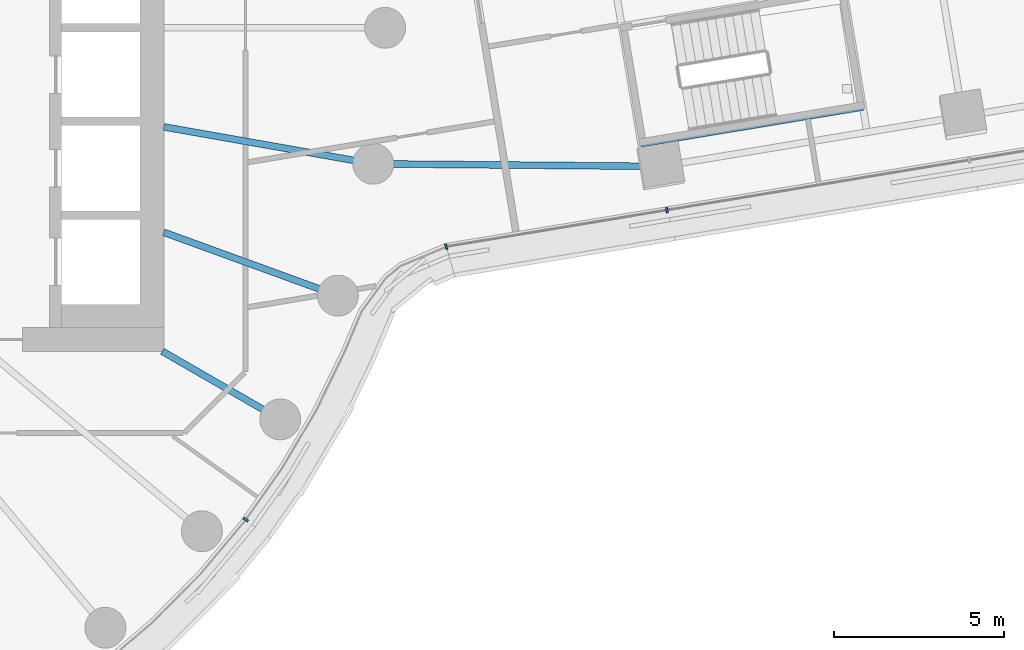
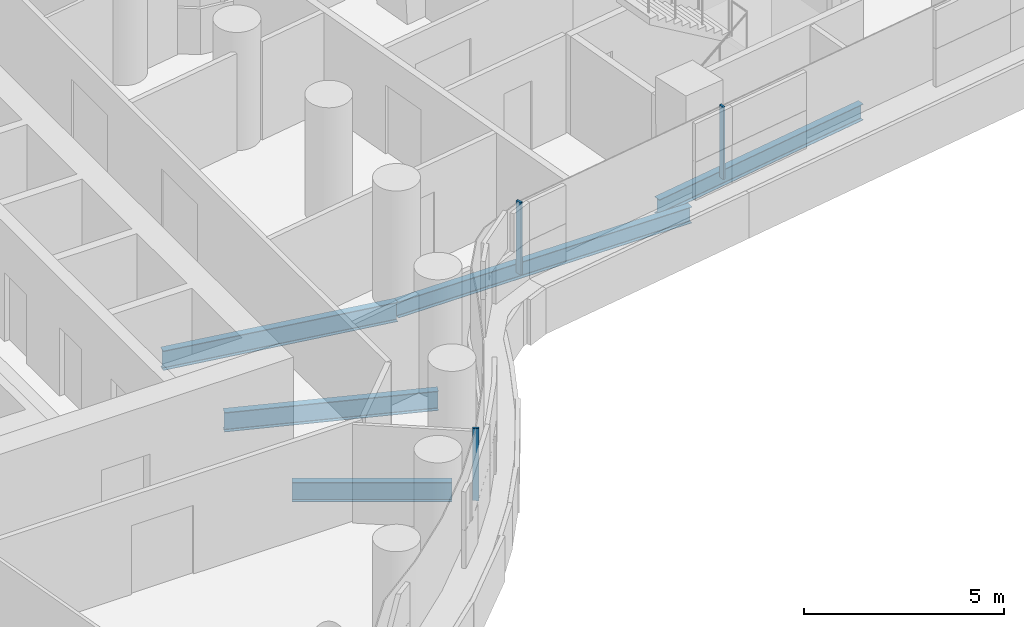
# One storey, part 11 of 32: 5 beams, 3 members, 2 elements without a shape of their own.
"""IFC4 building model written with IfcOpenShell, lengths in metres."""

from ifc_helpers import new_model, si_unit, direction, frame, origin, origin_2d, place, context, subcontext, project, spatial, rectangle, i_section, extrude, material, layer, layer_set, material_profile, profile_set, type_object, element, aggregate, save


model = new_model("IFC4")

# Units and contexts
model_context = context("Model", 3, precision=1e-05, world=origin(), true_north=direction((0.0, 1.0)))
body_context = subcontext(model_context, "Body", "Model", "MODEL_VIEW")
ifc_project = project(units=[si_unit("LENGTHUNIT", "METRE"), si_unit("AREAUNIT", "SQUARE_METRE"), si_unit("VOLUMEUNIT", "CUBIC_METRE"), si_unit("PLANEANGLEUNIT", "RADIAN"), si_unit("MASSUNIT", "GRAM", prefix="KILO")], contexts=[model_context])

# Site, building, storey
site_placement = place(None, origin())
site = spatial("IfcSite", under=ifc_project, at=site_placement, CompositionType="ELEMENT")
building_placement = place(site_placement, origin())
building = spatial("IfcBuilding", under=site, at=building_placement, Name="Tamarind Cross Interchange Tower", CompositionType="ELEMENT")
storey_placement = place(building_placement, frame((0.0, 0.0, 67.75)))
storey = spatial("IfcBuildingStorey", under=building, at=storey_placement, Name="L15", CompositionType="ELEMENT", Elevation=67.75)

# Beams
ifc_material_1 = material(Name="Steel Q355B", Category="steel")
ifc_material_profile_1 = material_profile(ifc_material_1, i_section(OverallWidth=0.198974609375, OverallDepth=0.49609375, WebThickness=0.009033203125, FlangeThickness=0.013916015625, FilletRadius=0.012939453125, at=origin_2d()), Name="HN 496x199x9x14")
ifc_profile_set_1 = profile_set([ifc_material_profile_1], Name="Steel Q355B")
beam_type_1 = type_object("IfcBeamType", Name="Composite beam HN 496x199x9x14 Q355B", PredefinedType="BEAM", material=ifc_profile_set_1)
beam_1_placement = place(storey_placement, frame((31.087158203125, -4.070068359375, -0.387939453125), z_axis=(-0.999959242671, 0.00902845479, 0.0), x_axis=(-0.00902845479, -0.999959242671, 0.0)))
element("IfcBeam", 1, at=beam_1_placement, inside=storey, type_object=beam_type_1, Name="Beam E-linkem", PredefinedType="BEAM", context=body_context, shape_type="SweptSolid", body=[
    extrude(i_section(OverallWidth=0.198974609375, OverallDepth=0.49609375, WebThickness=0.009033203125, FlangeThickness=0.013916015625, FilletRadius=0.012939453125, at=origin_2d()), origin(), (0.0, 0.0, 1.0), 8.436767578125),
])
beam_2_placement = place(storey_placement, frame((30.5205078125, -3.403564453125, -0.387939453125), z_axis=(0.986568319398, 0.163349169452, 0.0), x_axis=(-0.163349169452, 0.986568319398, 0.0)))
element("IfcBeam", 2, at=beam_2_placement, inside=storey, type_object=beam_type_1, Name="Beam E-tr0", PredefinedType="BEAM", context=body_context, shape_type="SweptSolid", body=[
    extrude(i_section(OverallWidth=0.198974609375, OverallDepth=0.49609375, WebThickness=0.009033203125, FlangeThickness=0.013916015625, FilletRadius=0.012939453125, at=origin_2d()), origin(), (0.0, 0.0, 1.0), 6.60009765625),
])
ifc_material_profile_2 = material_profile(ifc_material_1, i_section(OverallWidth=0.198974609375, OverallDepth=0.595947265625, WebThickness=0.010009765625, FlangeThickness=0.014892578125, FilletRadius=0.012939453125, at=origin_2d()), Name="HN 596x199x10x15")
ifc_profile_set_2 = profile_set([ifc_material_profile_2], Name="Steel Q355B")
beam_type_2 = type_object("IfcBeamType", Name="Composite beam HN 596x199x10x15 Q355B", PredefinedType="BEAM", material=ifc_profile_set_2)
beam_3_placement = place(storey_placement, frame((19.918701171875, -11.5, -0.43798828125), z_axis=(-0.866026010844, 0.49999894854, 0.0), x_axis=(-0.49999894854, -0.866026010844, 0.0)))
element("IfcBeam", 3, at=beam_3_placement, inside=storey, type_object=beam_type_2, Name="Beam HH33", PredefinedType="BEAM", context=body_context, shape_type="SweptSolid", body=[
    extrude(i_section(OverallWidth=0.198974609375, OverallDepth=0.595947265625, WebThickness=0.010009765625, FlangeThickness=0.014892578125, FilletRadius=0.012939453125, at=origin_2d()), origin(), (0.0, 0.0, 1.0), 4.0),
])
beam_4_placement = place(storey_placement, frame((21.613037109375, -7.866455078125, -0.43798828125), z_axis=(-0.939701685589, 0.341995236956, 0.0), x_axis=(-0.341995236956, -0.939701685589, 0.0)))
element("IfcBeam", 4, at=beam_4_placement, inside=storey, type_object=beam_type_2, Name="Beam HH34", PredefinedType="BEAM", context=body_context, shape_type="SweptSolid", body=[
    extrude(i_section(OverallWidth=0.198974609375, OverallDepth=0.595947265625, WebThickness=0.010009765625, FlangeThickness=0.014892578125, FilletRadius=0.012939453125, at=origin_2d()), origin(), (0.0, 0.0, 1.0), 5.441162109375),
])
beam_5_placement = place(storey_placement, frame((22.650634765625, -3.993896484375, -0.43798828125), z_axis=(-0.984809127561, 0.173640382036, 0.0), x_axis=(-0.173640382036, -0.984809127561, 0.0)))
element("IfcBeam", 5, at=beam_5_placement, inside=storey, type_object=beam_type_2, Name="Beam HH35", PredefinedType="BEAM", context=body_context, shape_type="SweptSolid", body=[
    extrude(i_section(OverallWidth=0.198974609375, OverallDepth=0.595947265625, WebThickness=0.010009765625, FlangeThickness=0.014892578125, FilletRadius=0.012939453125, at=origin_2d()), origin(), (0.0, 0.0, 1.0), 6.24560546875),
])

# Curtain wall, member
ifc_material_2 = material(Name="Aluminium 6063-T6", Category="aluminium")
ifc_layer = layer(ifc_material_2, 0.159912109375)
ifc_layer_set = layer_set([ifc_layer], Name="Aluminium 6063-T6")
curtain_wall_type = type_object("IfcCurtainWallType", Name="Office curtain wall, 9.0 m bays", PredefinedType="NOTDEFINED", material=ifc_layer_set)
curtain_wall_1_placement = place(storey_placement, origin())
curtain_wall_1 = element("IfcCurtainWall", 6, at=curtain_wall_1_placement, inside=storey, type_object=curtain_wall_type, Name="CWS-L15-10", PredefinedType="NOTDEFINED")
ifc_material_profile_3 = material_profile(ifc_material_2, rectangle(XDim=0.06005859375, YDim=0.159912109375, at=origin_2d()), Name="Mullion CW1")
ifc_profile_set_3 = profile_set([ifc_material_profile_3], Name="Aluminium 6063-T6")
member_type = type_object("IfcMemberType", Name="Mullion CW1", PredefinedType="MULLION", material=ifc_profile_set_3)
member_1_placement = place(storey_placement, frame((18.905517578125, -14.443603515625, 1.39990234375), z_axis=(0.0, 0.0, 1.0), x_axis=(0.577568978284, 0.816341886298, 0.0)))
member_1 = element("IfcMember", 7, at=member_1_placement, type_object=member_type, Name="CWM-L15-10-02", PredefinedType="MULLION", context=body_context, shape_type="SweptSolid", body=[
    extrude(rectangle(XDim=0.06005859375, YDim=0.159912109375, at=origin_2d()), origin(), (0.0, 0.0, 1.0), 2.210205078125),
])
aggregate(curtain_wall_1, [member_1])

# Curtain wall, members
curtain_wall_2_placement = place(storey_placement, origin())
curtain_wall_2 = element("IfcCurtainWall", 8, at=curtain_wall_2_placement, inside=storey, type_object=curtain_wall_type, Name="CWS-L15-11", PredefinedType="NOTDEFINED")
member_2_placement = place(storey_placement, frame((24.794921875, -6.4296875, 1.39990234375), z_axis=(0.0, 0.0, 1.0), x_axis=(0.960607231308, 0.277909602496, 0.0)))
member_2 = element("IfcMember", 9, at=member_2_placement, type_object=member_type, Name="CWM-L15-11-00", PredefinedType="MULLION", context=body_context, shape_type="SweptSolid", body=[
    extrude(rectangle(XDim=0.06005859375, YDim=0.159912109375, at=origin_2d()), origin(), (0.0, 0.0, 1.0), 2.210205078125),
])
member_3_placement = place(storey_placement, frame((31.275390625, -5.3564453125, 1.39990234375), z_axis=(0.0, 0.0, 1.0), x_axis=(0.986563038226, 0.163381062571, 0.0)))
member_3 = element("IfcMember", 10, at=member_3_placement, type_object=member_type, Name="CWM-L15-11-01", PredefinedType="MULLION", context=body_context, shape_type="SweptSolid", body=[
    extrude(rectangle(XDim=0.06005859375, YDim=0.159912109375, at=origin_2d()), origin(), (0.0, 0.0, 1.0), 2.210205078125),
])
aggregate(curtain_wall_2, [member_2, member_3])

save(model, "model.ifc")
